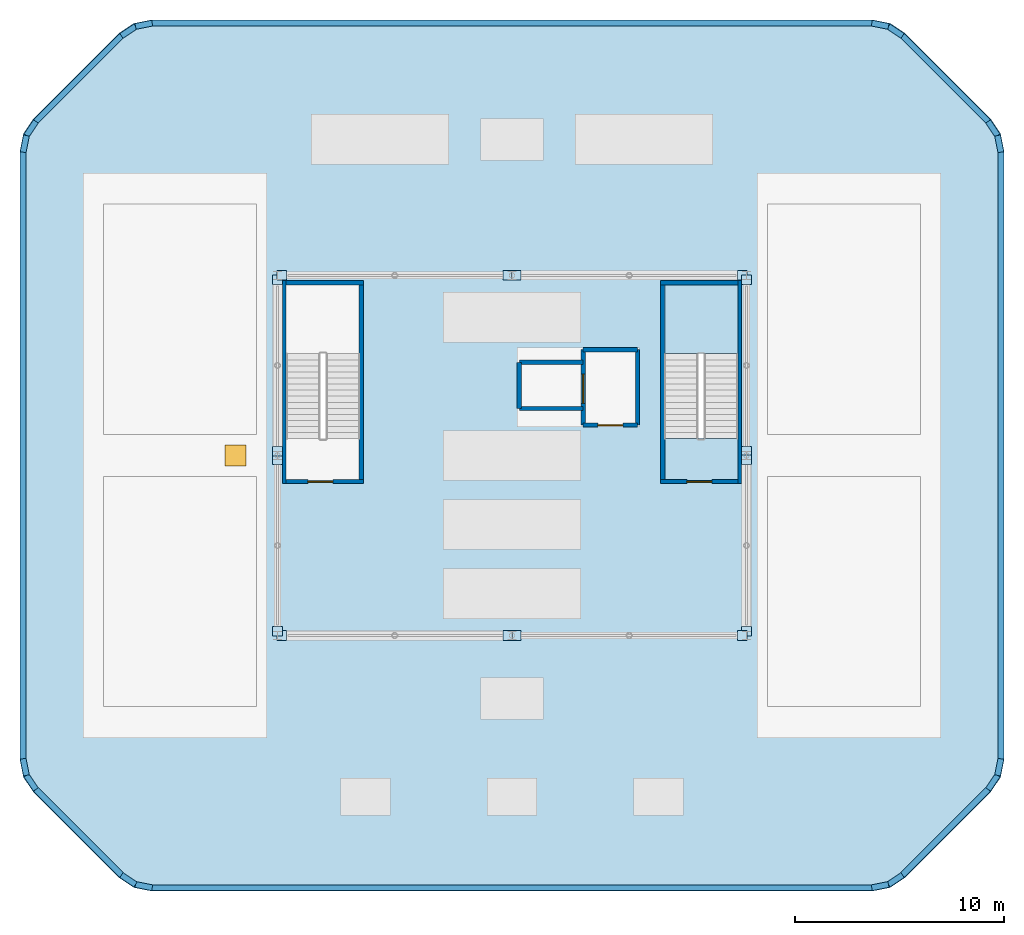
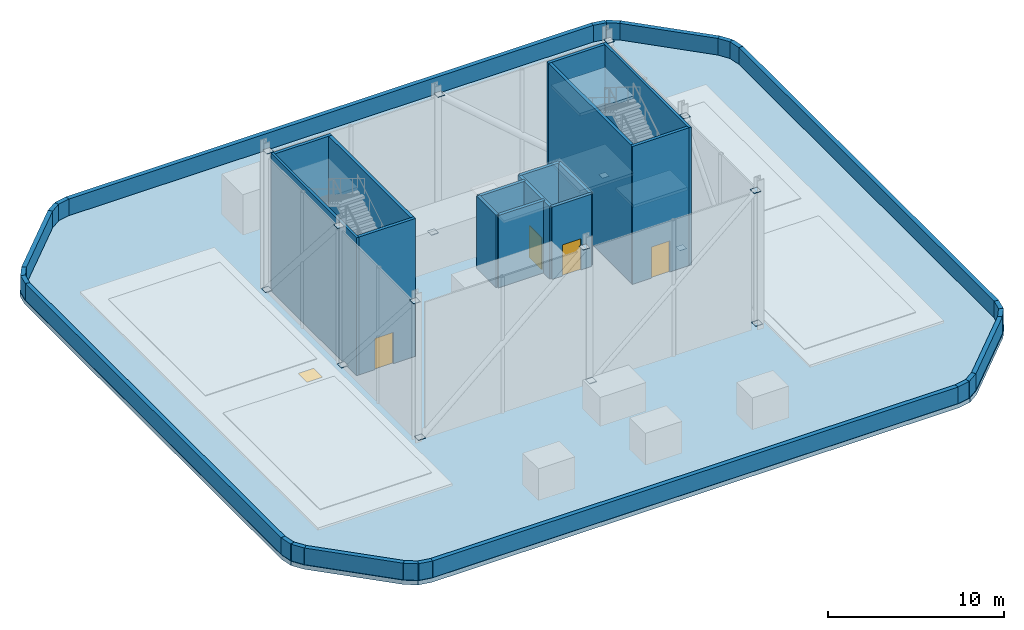
"""IFC4 building model written with IfcOpenShell, lengths in metres."""

import ifcopenshell
import ifcopenshell.guid

model = None  # the IFC model being written
_history = None  # IfcOwnerHistory: only IFC2X3 demands one
_inside = {}  # id of a spatial element -> (the spatial element, [elements in it])
_under = {}  # id of a project, library or spatial element -> (it, [spatial elements below it])
_declared = {}  # id of a project -> (the project, [libraries it declares])
_typed = {}  # id of a type object -> (the type object, [elements of that type])
_made_of = {}  # id of a material, layer set ... -> (it, [elements and type objects made of it])


def new_model(schema):
    """Start an empty IFC model of exactly this schema.

    Asked for "IFC4X3", IfcOpenShell would pick the latest addendum, in which some entities
    have other attributes; the version numbers below select the first issue.
    IFC2X3 requires an IfcOwnerHistory on every rooted entity: one is made here for all.
    """
    global model, _history
    if schema == "IFC4X3":
        model = ifcopenshell.file(schema_version=(4, 3, 0, 0))
    else:
        model = ifcopenshell.file(schema=schema)
    _inside.clear()
    _under.clear()
    _declared.clear()
    _typed.clear()
    _made_of.clear()
    _history = None
    if model.schema == "IFC2X3":
        org = make("IfcOrganization", Name="unknown")
        user = make(
            "IfcPersonAndOrganization",
            ThePerson=make("IfcPerson", FamilyName="unknown"),
            TheOrganization=org,
        )
        app = make(
            "IfcApplication",
            ApplicationDeveloper=org,
            Version="unknown",
            ApplicationFullName="unknown",
            ApplicationIdentifier="unknown",
        )
        _history = make(
            "IfcOwnerHistory",
            OwningUser=user,
            OwningApplication=app,
            ChangeAction="ADDED",
            CreationDate=0,
        )
    return model


def make(cls, **values):
    """One entity of the class cls with the attributes given. An attribute that is None is left unset."""
    return model.create_entity(
        cls, **{name: value for name, value in values.items() if value is not None}
    )


def rooted(cls, **values):
    """An entity with a GlobalId (a new one), such as an element, a storey or a relation."""
    return make(cls, GlobalId=ifcopenshell.guid.new(), OwnerHistory=_history, **values)


def si_unit(unit_type, name, prefix=None):
    """IfcSIUnit, for example si_unit("LENGTHUNIT", "METRE", prefix="MILLI")."""
    return make("IfcSIUnit", UnitType=unit_type, Prefix=prefix, Name=name)


def derived_unit(unit_type, elements):
    """IfcDerivedUnit: a product of units, each with its exponent."""
    return make(
        "IfcDerivedUnit",
        Elements=[
            make("IfcDerivedUnitElement", Unit=unit, Exponent=power)
            for unit, power in elements
        ],
        UnitType=unit_type,
    )


def assignment(units):
    """IfcUnitAssignment: the units of a project."""
    return None if units is None else make("IfcUnitAssignment", Units=units)


def point(xyz):
    """IfcCartesianPoint."""
    return None if xyz is None else make("IfcCartesianPoint", Coordinates=xyz)


def direction(xyz):
    """IfcDirection."""
    return None if xyz is None else make("IfcDirection", DirectionRatios=xyz)


def frame(location, z_axis=None, x_axis=None):
    """IfcAxis2Placement3D, a coordinate frame: its origin and axes. An axis left out is left unset."""
    return make(
        "IfcAxis2Placement3D",
        Location=point(location),
        Axis=direction(z_axis),
        RefDirection=direction(x_axis),
    )


def frame_2d(location, x_axis=None):
    """IfcAxis2Placement2D, a coordinate frame in the plane: its origin and x axis."""
    return make(
        "IfcAxis2Placement2D", Location=point(location), RefDirection=direction(x_axis)
    )


def origin():
    """The frame at (0, 0, 0) with its axes left unset."""
    return frame((0.0, 0.0, 0.0))


def origin_2d():
    """The frame at (0, 0) in the plane with its x axis left unset."""
    return frame_2d((0.0, 0.0))


def place(relative_to, where):
    """IfcLocalPlacement: puts the frame where relative to a parent placement (None: the world)."""
    return make(
        "IfcLocalPlacement", PlacementRelTo=relative_to, RelativePlacement=where
    )


def context(
    kind, dimensions, precision=None, world=None, true_north=None, identifier=None
):
    """IfcGeometricRepresentationContext, for example the 3D "Model" context."""
    return make(
        "IfcGeometricRepresentationContext",
        ContextIdentifier=identifier,
        ContextType=kind,
        CoordinateSpaceDimension=dimensions,
        Precision=precision,
        WorldCoordinateSystem=world,
        TrueNorth=true_north,
    )


def subcontext(parent, identifier, kind, view, scale=None):
    """IfcGeometricRepresentationSubContext, for example "Body" below "Model"."""
    return make(
        "IfcGeometricRepresentationSubContext",
        ContextIdentifier=identifier,
        ContextType=kind,
        ParentContext=parent,
        TargetScale=scale,
        TargetView=view,
    )


def project(units=None, contexts=None):
    """IfcProject with its units and contexts."""
    return rooted(
        "IfcProject",
        Name="project",
        RepresentationContexts=contexts,
        UnitsInContext=assignment(units),
    )


def spatial(cls, under=None, at=None, **own):
    """A site, building, storey or space (cls), placed at a placement, below another one or the project."""
    s = rooted(cls, ObjectPlacement=at, **own)
    if under is not None:
        _under.setdefault(under.id(), (under, []))[1].append(s)
    return s


def polyline(points):
    """IfcPolyline through the points."""
    return make("IfcPolyline", Points=[point(p) for p in points])


def profile(cls, at=None, kind="AREA", **sizes):
    """A parametric profile (cls). Its sizes go by their IFC names, for example OverallWidth=200.0."""
    return make(cls, ProfileType=kind, Position=at, **sizes)


def rectangle(**sizes):
    """IfcRectangleProfileDef."""
    return profile("IfcRectangleProfileDef", **sizes)


def outline(outer, holes=None, kind="AREA"):
    """IfcArbitraryClosedProfileDef: a profile drawn as a closed curve; with holes, ...WithVoids."""
    if holes is None:
        return make("IfcArbitraryClosedProfileDef", ProfileType=kind, OuterCurve=outer)
    return make(
        "IfcArbitraryProfileDefWithVoids",
        ProfileType=kind,
        OuterCurve=outer,
        InnerCurves=holes,
    )


def extrude(swept, where, along, depth):
    """IfcExtrudedAreaSolid: the profile swept, set in the frame where, extruded along a direction by depth."""
    return make(
        "IfcExtrudedAreaSolid",
        SweptArea=swept,
        Position=where,
        ExtrudedDirection=direction(along),
        Depth=depth,
    )


def shape(context_of_items, identifier, shape_type, items):
    """IfcShapeRepresentation: the items that make up one representation, for example the "Body"."""
    return make(
        "IfcShapeRepresentation",
        ContextOfItems=context_of_items,
        RepresentationIdentifier=identifier,
        RepresentationType=shape_type,
        Items=items,
    )


def material(Name=None, Category=None):
    """IfcMaterial."""
    return make("IfcMaterial", Name=Name, Category=Category)


def layer(
    of_material, thickness, ventilated=None, Name=None, Category=None, Priority=None
):
    """IfcMaterialLayer: one layer of a wall or slab, of a material (None: an air gap)."""
    return make(
        "IfcMaterialLayer",
        Material=of_material,
        LayerThickness=thickness,
        IsVentilated=ventilated,
        Name=Name,
        Category=Category,
        Priority=Priority,
    )


def layer_set(layers, Name=None):
    """IfcMaterialLayerSet."""
    return make("IfcMaterialLayerSet", MaterialLayers=layers, LayerSetName=Name)


def made_of(thing, what):
    """Note that an element or type object is made of a material, layer set ...; save() writes the relation."""
    if what is not None:
        _made_of.setdefault(what.id(), (what, []))[1].append(thing)
    return thing


def type_object(cls, material=None, **own):
    """A type object (cls), such as IfcWallType, which elements share."""
    return made_of(rooted(cls, **own), material)


def element(
    cls,
    number,
    at=None,
    inside=None,
    cuts=None,
    type_object=None,
    material=None,
    context=None,
    identifier="Body",
    shape_type=None,
    held_by="IfcProductDefinitionShape",
    body=None,
    shapes=None,
    **own,
):
    """One element of the class cls, such as IfcWall. Its Tag is "e" and its number.

    at: its placement. inside: the storey or other place that contains it. cuts: it is an
    opening in that element (IfcRelVoidsElement). A single representation is given by context,
    identifier, shape_type and body (its items); several are given by shapes. held_by: the class
    of the entity that holds the representations. save() writes the other relations.
    """
    e = rooted(cls, Tag="e%d" % number, ObjectPlacement=at, **own)
    if body is not None:
        shapes = [shape(context, identifier, shape_type, body)]
    if shapes is not None:
        e.Representation = make(held_by, Representations=shapes)
    if inside is not None:
        _inside.setdefault(inside.id(), (inside, []))[1].append(e)
    if cuts is not None:
        rooted(
            "IfcRelVoidsElement", RelatingBuildingElement=cuts, RelatedOpeningElement=e
        )
    if type_object is not None:
        _typed.setdefault(type_object.id(), (type_object, []))[1].append(e)
    return made_of(e, material)


def fill(opening, filler):
    """IfcRelFillsElement: the door or window that sits in an opening."""
    return rooted(
        "IfcRelFillsElement",
        RelatingOpeningElement=opening,
        RelatedBuildingElement=filler,
    )


def aggregate(whole, parts):
    """IfcRelAggregates: a whole, such as a stair, and the parts it consists of."""
    return rooted("IfcRelAggregates", RelatingObject=whole, RelatedObjects=parts)


def save(model, path):
    """Write the relations noted so far, then the file.

    IfcRelAggregates (storeys below a building ...), IfcRelContainedInSpatialStructure (elements
    in a storey), IfcRelDefinesByType, IfcRelAssociatesMaterial and IfcRelDeclares: one each for
    every whole, place, type object, material and project.
    """
    for whole, parts in _under.values():
        aggregate(whole, parts)
    for where, things in _inside.values():
        rooted(
            "IfcRelContainedInSpatialStructure",
            RelatedElements=things,
            RelatingStructure=where,
        )
    for kind, things in _typed.values():
        rooted("IfcRelDefinesByType", RelatedObjects=things, RelatingType=kind)
    for what, things in _made_of.values():
        rooted("IfcRelAssociatesMaterial", RelatedObjects=things, RelatingMaterial=what)
    for by, libraries in _declared.values():
        rooted("IfcRelDeclares", RelatingContext=by, RelatedDefinitions=libraries)
    model.write(path)


model = new_model("IFC4")

# Units and contexts
model_context = context("Model", 3, precision=1e-05, world=origin(), true_north=direction((0.0, 1.0)))
body_context = subcontext(model_context, "Body", "Model", "MODEL_VIEW")
ifc_project = project(units=[si_unit("LENGTHUNIT", "METRE"), si_unit("AREAUNIT", "SQUARE_METRE"), si_unit("VOLUMEUNIT", "CUBIC_METRE"), si_unit("PLANEANGLEUNIT", "RADIAN"), si_unit("MASSUNIT", "GRAM", prefix="KILO"), derived_unit("THERMALTRANSMITTANCEUNIT", [(si_unit("POWERUNIT", "WATT"), 1), (si_unit("LENGTHUNIT", "METRE"), -2), (si_unit("THERMODYNAMICTEMPERATUREUNIT", "KELVIN"), -1)])], contexts=[model_context])

# Site, building, storey
site_placement = place(None, origin())
site = spatial("IfcSite", under=ifc_project, at=site_placement, CompositionType="ELEMENT")
building_placement = place(site_placement, origin())
building = spatial("IfcBuilding", under=site, at=building_placement, Name="Koralith Skygarden Medical Center", CompositionType="ELEMENT")
storey_1_placement = place(building_placement, frame((0.0, 0.0, 298.97998046875)))
storey_1 = spatial("IfcBuildingStorey", under=building, at=storey_1_placement, Name="RF", CompositionType="ELEMENT", Elevation=298.97998046875)

# Stair, slabs
ifc_material_1 = material(Name="Concrete C45/55", Category="concrete")
stair_type = type_object("IfcStairType", Name="Core Exit Dogleg Concrete Stair", PredefinedType="HALF_TURN_STAIR", material=ifc_material_1)
stair_placement = place(storey_1_placement, origin())
stair = element("IfcStair", 1, at=stair_placement, inside=storey_1, type_object=stair_type, Name="RF Smokeproof Exit Stair ST2", PredefinedType="HALF_TURN_STAIR")
ifc_layer_1 = layer(ifc_material_1, 0.199951171875)
ifc_layer_set_1 = layer_set([ifc_layer_1], Name="Concrete C45/55")
slab_type_1 = type_object("IfcSlabType", Name="Core Exit Concrete Stair Landing 200", PredefinedType="LANDING", material=ifc_layer_set_1)
slab_1_placement = place(storey_1_placement, frame((0.0, 0.0, 2.467529296875)))
slab_1 = element("IfcSlab", 2, at=slab_1_placement, type_object=slab_type_1, Name="ST2 landing 1", PredefinedType="LANDING", context=body_context, shape_type="SweptSolid", body=[
    extrude(outline(polyline([(47.800048828125, 30.760009765625), (47.800048828125, 34.050048828125), (44.25, 34.050048828125), (44.25, 30.760009765625), (47.800048828125, 30.760009765625)])), origin(), (0.0, 0.0, 1.0), 0.199951171875),
])
slab_2_placement = place(storey_1_placement, frame((0.0, 0.0, 5.135009765625)))
slab_2 = element("IfcSlab", 3, at=slab_2_placement, type_object=slab_type_1, Name="ST2 landing 2", PredefinedType="LANDING", context=body_context, shape_type="SweptSolid", body=[
    extrude(outline(polyline([(47.800048828125, 24.699951171875), (47.800048828125, 26.699951171875), (44.25, 26.699951171875), (44.25, 24.699951171875), (47.800048828125, 24.699951171875)])), origin(), (0.0, 0.0, 1.0), 0.199951171875),
])
slab_3_placement = place(storey_1_placement, frame((0.0, 0.0, 7.802490234375)))
slab_3 = element("IfcSlab", 4, at=slab_3_placement, type_object=slab_type_1, Name="ST2 landing 3", PredefinedType="LANDING", context=body_context, shape_type="SweptSolid", body=[
    extrude(outline(polyline([(47.800048828125, 30.760009765625), (47.800048828125, 34.050048828125), (44.25, 34.050048828125), (44.25, 30.760009765625), (47.800048828125, 30.760009765625)])), origin(), (0.0, 0.0, 1.0), 0.199951171875),
])
aggregate(stair, [slab_1, slab_2, slab_3])

# Slab, opening
ifc_layer_2 = layer(ifc_material_1, 0.300048828125)
ifc_layer_set_2 = layer_set([ifc_layer_2], Name="Concrete C45/55")
slab_type_2 = type_object("IfcSlabType", Name="Crown Canopy Insulated Roof Slab 300", PredefinedType="ROOF", material=ifc_layer_set_2)
slab_4_placement = place(storey_1_placement, frame((0.0, 0.0, -0.300048828125)))
slab_4 = element("IfcSlab", 5, at=slab_4_placement, inside=storey_1, type_object=slab_type_2, Name="Crown Canopy Structural Roof Slab", PredefinedType="ROOF", context=body_context, shape_type="SweptSolid", body=[
    extrude(outline(polyline([(18.2451171875, 5.720947265625), (18.93310546875, 5.260986328125), (19.743896484375, 5.10009765625), (54.256103515625, 5.10009765625), (55.06689453125, 5.260986328125), (55.7548828125, 5.720947265625), (59.87890625, 9.844970703125), (60.339111328125, 10.532958984375), (60.5, 11.343994140625), (60.5, 40.4560546875), (60.339111328125, 41.26708984375), (59.87890625, 41.955078125), (55.7548828125, 46.0791015625), (55.06689453125, 46.5390625), (54.256103515625, 46.699951171875), (19.743896484375, 46.699951171875), (18.93310546875, 46.5390625), (18.2451171875, 46.0791015625), (14.12109375, 41.955078125), (13.660888671875, 41.26708984375), (13.5, 40.4560546875), (13.5, 11.343994140625), (13.660888671875, 10.532958984375), (14.12109375, 9.844970703125), (18.2451171875, 5.720947265625)]), holes=[polyline([(26.199951171875, 26.705078125), (29.75, 26.705078125), (29.75, 34.050048828125), (26.199951171875, 34.050048828125), (26.199951171875, 26.705078125)]), polyline([(44.25, 26.705078125), (47.800048828125, 26.705078125), (47.800048828125, 34.050048828125), (44.25, 34.050048828125), (44.25, 26.705078125)]), polyline([(37.449951171875, 28.25), (40.300048828125, 28.25), (40.300048828125, 30.25), (37.449951171875, 30.25), (37.449951171875, 28.25)])]), origin(), (0.0, 0.0, 1.0), 0.300048828125),
])
opening_1_placement = place(slab_4_placement, frame((23.800048828125, 25.89990234375, -0.010009765625)))
opening_1 = element("IfcOpeningElement", 6, at=opening_1_placement, cuts=slab_4, Name="Opening D-HAT", PredefinedType="OPENING", context=body_context, shape_type="SweptSolid", body=[
    extrude(rectangle(XDim=1.0, YDim=1.0, at=origin_2d()), origin(), (0.0, 0.0, 1.0), 0.320068359375),
])

# Storey
storey_2_placement = place(building_placement, frame((0.0, 0.0, 294.659912109375)))
storey_2 = spatial("IfcBuildingStorey", under=building, at=storey_2_placement, Name="L76", CompositionType="ELEMENT", Elevation=294.659912109375)

# Door
ifc_material_2 = material(Name="Steel ASTM A500 Grade C", Category="steel")
door_type_1 = type_object("IfcDoorType", Name="Roof & Shaft Maintenance Access Hatch H-RF 1000", OperationType="NOTDEFINED", PredefinedType="TRAPDOOR", material=ifc_material_2)
door_1_placement = place(opening_1_placement, frame((0.0, 0.0, 0.2900390625)))
door_1 = element("IfcDoor", 7, at=door_1_placement, inside=storey_2, type_object=door_type_1, Name="L76 Service Access Hatch H-01", OperationType="SINGLE_SWING_LEFT", OverallHeight=1.0, OverallWidth=1.0, PredefinedType="TRAPDOOR", context=body_context, shape_type="SweptSolid", body=[
    extrude(rectangle(XDim=1.0, YDim=1.0, at=origin_2d()), origin(), (0.0, 0.0, 1.0), 0.02001953125),
])

fill(opening_1, door_1)

# Plates
ifc_material_3 = material(Name="Steel ASTM A572 Grade 50", Category="steel")
ifc_layer_3 = layer(ifc_material_3, 0.02490234375)
ifc_layer_set_3 = layer_set([ifc_layer_3], Name="Steel ASTM A572 Grade 50")
plate_type = type_object("IfcPlateType", Name="Hollow Section End Cap Plate 25", PredefinedType="SHEET", material=ifc_layer_set_3)
for number, where, z_axis, x_axis, name in (
    (8, (26.010009765625, 17.300048828125, 0.137451171875), (0.0, 0.0, 1.0), (1.0, 0.0, 0.0), "Helipad Brace Cap A-01"),
    (9, (36.7900390625, 17.300048828125, 9.528564453125), (0.0, 0.0, 1.0), (1.0, 0.0, 0.0), "Helipad Brace Cap B-01"),
    (10, (37.2099609375, 17.300048828125, 0.137451171875), (0.0, 0.0, 1.0), (1.0, 0.0, 0.0), "Helipad Brace Cap A-02"),
    (11, (47.989990234375, 17.300048828125, 9.528564453125), (0.0, 0.0, 1.0), (1.0, 0.0, 0.0), "Helipad Brace Cap B-02"),
    (12, (48.199951171875, 17.510009765625, 0.137451171875), (0.0, 0.0, 1.0), (1.0, 0.0, 0.0), "Helipad Brace Cap A-03"),
    (13, (48.199951171875, 25.68994140625, 9.528564453125), (0.0, 0.0, 1.0), (1.0, 0.0, 0.0), "Helipad Brace Cap B-03"),
    (14, (48.199951171875, 26.110107421875, 0.137451171875), (0.0, 0.0, 1.0), (1.0, 0.0, 0.0), "Helipad Brace Cap A-04"),
    (15, (48.199951171875, 34.2900390625, 9.528564453125), (0.0, 0.0, 1.0), (1.0, 0.0, 0.0), "Helipad Brace Cap B-04"),
    (16, (47.989990234375, 34.5, 0.137451171875), (0.0, 0.0, 1.0), (1.0, 0.0, 0.0), "Helipad Brace Cap A-05"),
    (17, (37.2099609375, 34.5, 9.528564453125), (0.0, 0.0, 1.0), (1.0, 0.0, 0.0), "Helipad Brace Cap B-05"),
    (18, (36.7900390625, 34.5, 0.137451171875), (0.0, 0.0, 1.0), (1.0, 0.0, 0.0), "Helipad Brace Cap A-06"),
    (19, (26.010009765625, 34.5, 9.528564453125), (0.0, 0.0, 1.0), (1.0, 0.0, 0.0), "Helipad Brace Cap B-06"),
    (20, (25.800048828125, 34.2900390625, 0.137451171875), (0.0, 0.0, 1.0), (1.0, 0.0, 0.0), "Helipad Brace Cap A-07"),
    (21, (25.800048828125, 26.110107421875, 9.528564453125), (0.0, 0.0, 1.0), (1.0, 0.0, 0.0), "Helipad Brace Cap B-07"),
    (22, (25.800048828125, 25.68994140625, 0.137451171875), (0.0, 0.0, 1.0), (1.0, 0.0, 0.0), "Helipad Brace Cap A-08"),
    (23, (25.800048828125, 17.510009765625, 9.528564453125), (0.0, 0.0, 1.0), (1.0, 0.0, 0.0), "Helipad Brace Cap B-08"),
):
    element("IfcPlate", number, at=place(storey_1_placement, frame(where, z_axis=z_axis, x_axis=x_axis)), inside=storey_1, type_object=plate_type, Name=name, PredefinedType="SHEET", context=body_context, shape_type="SweptSolid", body=[
        extrude(rectangle(XDim=0.4599609375, YDim=0.4599609375, at=origin_2d()), origin(), (0.0, 0.0, 1.0), 0.02490234375),
    ])

# Walls
ifc_layer_4 = layer(ifc_material_1, 0.280029296875)
ifc_layer_set_4 = layer_set([ifc_layer_4], Name="Concrete C45/55")
wall_type_1 = type_object("IfcWallType", Name="Maintenance Roof Parapet Upstand 280", PredefinedType="PARAPET", material=ifc_layer_set_4)
for number, where, z_axis, x_axis, name in (
    (24, (18.345947265625, 5.85791015625, 0.0), (0.0, 0.0, 1.0), (0.831353771388, -0.555743562085, 0.0), "RF Canopy Perimeter Parapet 01"),
    (25, (19.01904296875, 5.407958984375, 0.0), (0.0, 0.0, 1.0), (0.9807773748, -0.19513006196, 0.0), "RF Canopy Perimeter Parapet 02"),
):
    element("IfcWall", number, at=place(storey_1_placement, frame(where, z_axis=z_axis, x_axis=x_axis)), inside=storey_1, type_object=wall_type_1, Name=name, PredefinedType="PARAPET", context=body_context, shape_type="SweptSolid", body=[
        extrude(rectangle(XDim=0.8095703125, YDim=0.280029296875, at=frame_2d((0.40478515625, 0.0))), origin(), (0.0, 0.0, 1.0), 1.14990234375),
    ])
wall_1_placement = place(storey_1_placement, frame((19.81298828125, 5.25, 0.0), z_axis=(0.0, 0.0, 1.0), x_axis=(1.0, 0.0, 0.0)))
element("IfcWall", 26, at=wall_1_placement, inside=storey_1, type_object=wall_type_1, Name="RF Canopy Perimeter Parapet 03", PredefinedType="PARAPET", context=body_context, shape_type="SweptSolid", body=[
    extrude(rectangle(XDim=34.3740234375, YDim=0.280029296875, at=frame_2d((17.18701171875, 0.0))), origin(), (0.0, 0.0, 1.0), 1.14990234375),
])
for number, where, z_axis, x_axis, name in (
    (27, (54.18701171875, 5.25, 0.0), (0.0, 0.0, 1.0), (0.9807773748, 0.19513006196, 0.0), "RF Canopy Perimeter Parapet 04"),
    (28, (54.98095703125, 5.407958984375, 0.0), (0.0, 0.0, 1.0), (0.831353771388, 0.555743562085, 0.0), "RF Canopy Perimeter Parapet 05"),
):
    element("IfcWall", number, at=place(storey_1_placement, frame(where, z_axis=z_axis, x_axis=x_axis)), inside=storey_1, type_object=wall_type_1, Name=name, PredefinedType="PARAPET", context=body_context, shape_type="SweptSolid", body=[
        extrude(rectangle(XDim=0.8095703125, YDim=0.280029296875, at=frame_2d((0.40478515625, 0.0))), origin(), (0.0, 0.0, 1.0), 1.14990234375),
    ])
wall_2_placement = place(storey_1_placement, frame((55.654052734375, 5.85791015625, 0.0), z_axis=(0.0, 0.0, 1.0), x_axis=(0.707085666273, 0.70712789547, 0.0)))
element("IfcWall", 29, at=wall_2_placement, inside=storey_1, type_object=wall_type_1, Name="RF Canopy Perimeter Parapet 06", PredefinedType="PARAPET", context=body_context, shape_type="SweptSolid", body=[
    extrude(rectangle(XDim=5.78125, YDim=0.280029296875, at=frame_2d((2.890625, 0.0))), origin(), (0.0, 0.0, 1.0), 1.14990234375),
])
wall_3_placement = place(storey_1_placement, frame((59.741943359375, 9.946044921875, 0.0), z_axis=(0.0, 0.0, 1.0), x_axis=(0.555882907911, 0.831260604559, 0.0)))
element("IfcWall", 30, at=wall_3_placement, inside=storey_1, type_object=wall_type_1, Name="RF Canopy Perimeter Parapet 07", PredefinedType="PARAPET", context=body_context, shape_type="SweptSolid", body=[
    extrude(rectangle(XDim=0.809326171875, YDim=0.280029296875, at=frame_2d((0.40478515625, 0.0))), origin(), (0.0, 0.0, 1.0), 1.14990234375),
])
wall_4_placement = place(storey_1_placement, frame((60.19189453125, 10.618896484375, 0.0), z_axis=(0.0, 0.0, 1.0), x_axis=(0.195362364379, 0.980731128589, 0.0)))
element("IfcWall", 31, at=wall_4_placement, inside=storey_1, type_object=wall_type_1, Name="RF Canopy Perimeter Parapet 08", PredefinedType="PARAPET", context=body_context, shape_type="SweptSolid", body=[
    extrude(rectangle(XDim=0.809814453125, YDim=0.280029296875, at=frame_2d((0.40478515625, 0.0))), origin(), (0.0, 0.0, 1.0), 1.14990234375),
])
wall_5_placement = place(storey_1_placement, frame((60.35009765625, 11.4130859375, 0.0), z_axis=(0.0, 0.0, 1.0), x_axis=(0.0, 1.0, 0.0)))
element("IfcWall", 32, at=wall_5_placement, inside=storey_1, type_object=wall_type_1, Name="RF Canopy Perimeter Parapet 09", PredefinedType="PARAPET", context=body_context, shape_type="SweptSolid", body=[
    extrude(rectangle(XDim=28.973876953125, YDim=0.280029296875, at=frame_2d((14.48681640625, 0.0))), origin(), (0.0, 0.0, 1.0), 1.14990234375),
])
for number, where, z_axis, x_axis, name in (
    (33, (60.35009765625, 40.386962890625, 0.0), (0.0, 0.0, 1.0), (-0.195420145058, 0.980719616866, 0.0), "RF Canopy Perimeter Parapet 10"),
    (34, (60.19189453125, 41.180908203125, 0.0), (0.0, 0.0, 1.0), (-0.555743562085, 0.831353771388, 0.0), "RF Canopy Perimeter Parapet 11"),
):
    element("IfcWall", number, at=place(storey_1_placement, frame(where, z_axis=z_axis, x_axis=x_axis)), inside=storey_1, type_object=wall_type_1, Name=name, PredefinedType="PARAPET", context=body_context, shape_type="SweptSolid", body=[
        extrude(rectangle(XDim=0.8095703125, YDim=0.280029296875, at=frame_2d((0.40478515625, 0.0))), origin(), (0.0, 0.0, 1.0), 1.14990234375),
    ])
wall_6_placement = place(storey_1_placement, frame((59.741943359375, 41.85400390625, 0.0), z_axis=(0.0, 0.0, 1.0), x_axis=(-0.707106781187, 0.707106781187, 0.0)))
element("IfcWall", 35, at=wall_6_placement, inside=storey_1, type_object=wall_type_1, Name="RF Canopy Perimeter Parapet 12", PredefinedType="PARAPET", context=body_context, shape_type="SweptSolid", body=[
    extrude(rectangle(XDim=5.78125, YDim=0.280029296875, at=frame_2d((2.890625, 0.0))), origin(), (0.0, 0.0, 1.0), 1.14990234375),
])
wall_7_placement = place(storey_1_placement, frame((55.654052734375, 45.94189453125, 0.0), z_axis=(0.0, 0.0, 1.0), x_axis=(-0.83121444992, 0.555951920803, 0.0)))
element("IfcWall", 36, at=wall_7_placement, inside=storey_1, type_object=wall_type_1, Name="RF Canopy Perimeter Parapet 13", PredefinedType="PARAPET", context=body_context, shape_type="SweptSolid", body=[
    extrude(rectangle(XDim=0.809814453125, YDim=0.280029296875, at=frame_2d((0.40478515625, 0.0))), origin(), (0.0, 0.0, 1.0), 1.14990234375),
])
wall_8_placement = place(storey_1_placement, frame((54.98095703125, 46.39208984375, 0.0), z_axis=(0.0, 0.0, 1.0), x_axis=(-0.9807773748, 0.19513006196, 0.0)))
element("IfcWall", 37, at=wall_8_placement, inside=storey_1, type_object=wall_type_1, Name="RF Canopy Perimeter Parapet 14", PredefinedType="PARAPET", context=body_context, shape_type="SweptSolid", body=[
    extrude(rectangle(XDim=0.8095703125, YDim=0.280029296875, at=frame_2d((0.40478515625, 0.0))), origin(), (0.0, 0.0, 1.0), 1.14990234375),
])
wall_9_placement = place(storey_1_placement, frame((54.18701171875, 46.550048828125, 0.0), z_axis=(0.0, 0.0, 1.0), x_axis=(-1.0, 0.0, 0.0)))
element("IfcWall", 38, at=wall_9_placement, inside=storey_1, type_object=wall_type_1, Name="RF Canopy Perimeter Parapet 15", PredefinedType="PARAPET", context=body_context, shape_type="SweptSolid", body=[
    extrude(rectangle(XDim=34.3740234375, YDim=0.280029296875, at=frame_2d((17.18701171875, 0.0))), origin(), (0.0, 0.0, 1.0), 1.14990234375),
])
wall_10_placement = place(storey_1_placement, frame((19.81298828125, 46.550048828125, 0.0), z_axis=(0.0, 0.0, 1.0), x_axis=(-0.9807773748, -0.19513006196, 0.0)))
element("IfcWall", 39, at=wall_10_placement, inside=storey_1, type_object=wall_type_1, Name="RF Canopy Perimeter Parapet 16", PredefinedType="PARAPET", context=body_context, shape_type="SweptSolid", body=[
    extrude(rectangle(XDim=0.8095703125, YDim=0.280029296875, at=frame_2d((0.40478515625, 0.0))), origin(), (0.0, 0.0, 1.0), 1.14990234375),
])
wall_11_placement = place(storey_1_placement, frame((19.01904296875, 46.39208984375, 0.0), z_axis=(0.0, 0.0, 1.0), x_axis=(-0.83121444992, -0.555951920803, 0.0)))
element("IfcWall", 40, at=wall_11_placement, inside=storey_1, type_object=wall_type_1, Name="RF Canopy Perimeter Parapet 17", PredefinedType="PARAPET", context=body_context, shape_type="SweptSolid", body=[
    extrude(rectangle(XDim=0.809814453125, YDim=0.280029296875, at=frame_2d((0.40478515625, 0.0))), origin(), (0.0, 0.0, 1.0), 1.14990234375),
])
wall_12_placement = place(storey_1_placement, frame((18.345947265625, 45.94189453125, 0.0), z_axis=(0.0, 0.0, 1.0), x_axis=(-0.707106781187, -0.707106781187, 0.0)))
element("IfcWall", 41, at=wall_12_placement, inside=storey_1, type_object=wall_type_1, Name="RF Canopy Perimeter Parapet 18", PredefinedType="PARAPET", context=body_context, shape_type="SweptSolid", body=[
    extrude(rectangle(XDim=5.78125, YDim=0.280029296875, at=frame_2d((2.890625, 0.0))), origin(), (0.0, 0.0, 1.0), 1.14990234375),
])
for number, where, z_axis, x_axis, name in (
    (42, (14.258056640625, 41.85400390625, 0.0), (0.0, 0.0, 1.0), (-0.555743562085, -0.831353771388, 0.0), "RF Canopy Perimeter Parapet 19"),
    (43, (13.80810546875, 41.180908203125, 0.0), (0.0, 0.0, 1.0), (-0.195420145058, -0.980719616866, 0.0), "RF Canopy Perimeter Parapet 20"),
):
    element("IfcWall", number, at=place(storey_1_placement, frame(where, z_axis=z_axis, x_axis=x_axis)), inside=storey_1, type_object=wall_type_1, Name=name, PredefinedType="PARAPET", context=body_context, shape_type="SweptSolid", body=[
        extrude(rectangle(XDim=0.8095703125, YDim=0.280029296875, at=frame_2d((0.40478515625, 0.0))), origin(), (0.0, 0.0, 1.0), 1.14990234375),
    ])
wall_13_placement = place(storey_1_placement, frame((13.64990234375, 40.386962890625, 0.0), z_axis=(0.0, 0.0, 1.0), x_axis=(0.0, -1.0, 0.0)))
element("IfcWall", 44, at=wall_13_placement, inside=storey_1, type_object=wall_type_1, Name="RF Canopy Perimeter Parapet 21", PredefinedType="PARAPET", context=body_context, shape_type="SweptSolid", body=[
    extrude(rectangle(XDim=28.973876953125, YDim=0.280029296875, at=frame_2d((14.48681640625, 0.0))), origin(), (0.0, 0.0, 1.0), 1.14990234375),
])
wall_14_placement = place(storey_1_placement, frame((13.64990234375, 11.4130859375, 0.0), z_axis=(0.0, 0.0, 1.0), x_axis=(0.195362364379, -0.980731128589, 0.0)))
element("IfcWall", 45, at=wall_14_placement, inside=storey_1, type_object=wall_type_1, Name="RF Canopy Perimeter Parapet 22", PredefinedType="PARAPET", context=body_context, shape_type="SweptSolid", body=[
    extrude(rectangle(XDim=0.809814453125, YDim=0.280029296875, at=frame_2d((0.40478515625, 0.0))), origin(), (0.0, 0.0, 1.0), 1.14990234375),
])
wall_15_placement = place(storey_1_placement, frame((13.80810546875, 10.618896484375, 0.0), z_axis=(0.0, 0.0, 1.0), x_axis=(0.555882907911, -0.831260604559, 0.0)))
element("IfcWall", 46, at=wall_15_placement, inside=storey_1, type_object=wall_type_1, Name="RF Canopy Perimeter Parapet 23", PredefinedType="PARAPET", context=body_context, shape_type="SweptSolid", body=[
    extrude(rectangle(XDim=0.809326171875, YDim=0.280029296875, at=frame_2d((0.40478515625, 0.0))), origin(), (0.0, 0.0, 1.0), 1.14990234375),
])
wall_16_placement = place(storey_1_placement, frame((14.258056640625, 9.946044921875, 0.0), z_axis=(0.0, 0.0, 1.0), x_axis=(0.707085666273, -0.70712789547, 0.0)))
element("IfcWall", 47, at=wall_16_placement, inside=storey_1, type_object=wall_type_1, Name="RF Canopy Perimeter Parapet 24", PredefinedType="PARAPET", context=body_context, shape_type="SweptSolid", body=[
    extrude(rectangle(XDim=5.78125, YDim=0.280029296875, at=frame_2d((2.890625, 0.0))), origin(), (0.0, 0.0, 1.0), 1.14990234375),
])
ifc_layer_5 = layer(ifc_material_1, 0.199951171875)
ifc_layer_set_5 = layer_set([ifc_layer_5], Name="Concrete C45/55")
wall_type_2 = type_object("IfcWallType", Name="Structural Lift Shaft Wall 200", PredefinedType="SHEAR", material=ifc_layer_set_5)
wall_17_placement = place(storey_1_placement, frame((37.35009765625, 28.14990234375, 0.0), z_axis=(0.0, 0.0, 1.0), x_axis=(0.0, 1.0, 0.0)))
element("IfcWall", 48, at=wall_17_placement, inside=storey_1, type_object=wall_type_2, Name="RF Structural Lift Shaft Wall 200 W-TR1-RF-W", PredefinedType="SHEAR", context=body_context, shape_type="SweptSolid", body=[
    extrude(rectangle(XDim=2.2001953125, YDim=0.199951171875, at=frame_2d((1.10009765625, 0.0))), origin(), (0.0, 0.0, 1.0), 5.0),
])
for number, where, z_axis, x_axis, name in (
    (49, (37.35009765625, 28.14990234375, 0.0), (0.0, 0.0, 1.0), (1.0, 0.0, 0.0), "RF Structural Lift Shaft Wall 200 W-TR1-RF-S"),
    (50, (37.35009765625, 30.35009765625, 0.0), (0.0, 0.0, 1.0), (1.0, 0.0, 0.0), "RF Structural Lift Shaft Wall 200 W-TR1-RF-N"),
):
    element("IfcWall", number, at=place(storey_1_placement, frame(where, z_axis=z_axis, x_axis=x_axis)), inside=storey_1, type_object=wall_type_2, Name=name, PredefinedType="SHEAR", context=body_context, shape_type="SweptSolid", body=[
        extrude(rectangle(XDim=3.0498046875, YDim=0.199951171875, at=frame_2d((1.52490234375, 0.0))), origin(), (0.0, 0.0, 1.0), 5.0),
    ])

# Wall, opening, door
wall_18_placement = place(storey_1_placement, frame((40.39990234375, 27.35009765625, 0.0), z_axis=(0.0, 0.0, 1.0), x_axis=(0.0, 1.0, 0.0)))
wall_18 = element("IfcWall", 51, at=wall_18_placement, inside=storey_1, type_object=wall_type_2, Name="RF Structural Lift Shaft Wall 200 W-TR1-RF-E", PredefinedType="SHEAR", context=body_context, shape_type="SweptSolid", body=[
    extrude(rectangle(XDim=3.599853515625, YDim=0.199951171875, at=frame_2d((1.7998046875, 0.0))), origin(), (0.0, 0.0, 1.0), 5.0),
])
opening_2_placement = place(wall_18_placement, frame((1.0400390625, 0.0, 0.0)))
opening_2 = element("IfcOpeningElement", 52, at=opening_2_placement, cuts=wall_18, Name="Opening LD-SV", PredefinedType="OPENING", context=body_context, shape_type="SweptSolid", body=[
    extrude(rectangle(XDim=1.39990234375, YDim=2.199951171875, at=frame_2d((0.699951171875, 1.10009765625))), frame((0.0, 0.10986328125, 0.0), z_axis=(0.0, -1.0, 0.0), x_axis=(1.0, 0.0, 0.0)), (0.0, 0.0, 1.0), 0.219970703125),
])
door_type_2 = type_object("IfcDoorType", Name="Bed Lift Sliding Landing Door LD-SV 1400", OperationType="NOTDEFINED", PredefinedType="DOOR", material=ifc_material_2)
door_2_placement = place(opening_2_placement, origin())
door_2 = element("IfcDoor", 53, at=door_2_placement, inside=storey_1, type_object=door_type_2, Name="RF Trauma Elevator TR1 Landing Door", OperationType="SLIDING_TO_RIGHT", OverallHeight=2.199951171875, OverallWidth=1.39990234375, PredefinedType="DOOR", context=body_context, shape_type="SweptSolid", body=[
    extrude(rectangle(XDim=1.39990234375, YDim=2.199951171875, at=frame_2d((0.699951171875, 1.10009765625))), frame((0.0, 0.02490234375, 0.0), z_axis=(0.0, -1.0, 0.0), x_axis=(1.0, 0.0, 0.0)), (0.0, 0.0, 1.0), 0.050048828125),
])
fill(opening_2, door_2)

wall_19_placement = place(storey_1_placement, frame((40.39990234375, 27.35009765625, 0.0), z_axis=(0.0, 0.0, 1.0), x_axis=(1.0, 0.0, 0.0)))
wall_19 = element("IfcWall", 54, at=wall_19_placement, inside=storey_1, type_object=wall_type_2, Name="RF Structural Lift Shaft Wall 200 W-TR1-RF-LS", PredefinedType="SHEAR", context=body_context, shape_type="SweptSolid", body=[
    extrude(rectangle(XDim=2.60009765625, YDim=0.199951171875, at=frame_2d((1.300048828125, 0.0))), origin(), (0.0, 0.0, 1.0), 5.0),
])
opening_3_placement = place(wall_19_placement, frame((0.699951171875, 0.0, 0.0)))
opening_3 = element("IfcOpeningElement", 55, at=opening_3_placement, cuts=wall_19, Name="Opening D-ST60", PredefinedType="OPENING", context=body_context, shape_type="SweptSolid", body=[
    extrude(rectangle(XDim=1.199951171875, YDim=2.14990234375, at=frame_2d((0.60009765625, 1.074951171875))), frame((0.0, 0.10986328125, 0.0), z_axis=(0.0, -1.0, 0.0), x_axis=(1.0, 0.0, 0.0)), (0.0, 0.0, 1.0), 0.219970703125),
])
door_type_3 = type_object("IfcDoorType", Name="Smokeproof Stair Fire Door FD60S 1200", OperationType="NOTDEFINED", PredefinedType="DOOR", material=ifc_material_2)
door_3_placement = place(opening_3_placement, frame((1.199951171875, 0.0, 0.0), z_axis=(0.0, 0.0, 1.0), x_axis=(-1.0, 0.0, 0.0)))
door_3 = element("IfcDoor", 56, at=door_3_placement, inside=storey_1, type_object=door_type_3, Name="RF Trauma Lift Lobby Door to the Crown Roof", OperationType="SINGLE_SWING_LEFT", OverallHeight=2.14990234375, OverallWidth=1.199951171875, PredefinedType="DOOR", context=body_context, shape_type="SweptSolid", body=[
    extrude(rectangle(XDim=1.199951171875, YDim=2.14990234375, at=frame_2d((0.60009765625, 1.074951171875))), frame((0.0, 0.02490234375, 0.0), z_axis=(0.0, -1.0, 0.0), x_axis=(1.0, 0.0, 0.0)), (0.0, 0.0, 1.0), 0.050048828125),
])
fill(opening_3, door_3)

# Walls
wall_20_placement = place(storey_1_placement, frame((40.39990234375, 30.949951171875, 0.0), z_axis=(0.0, 0.0, 1.0), x_axis=(1.0, 0.0, 0.0)))
element("IfcWall", 57, at=wall_20_placement, inside=storey_1, type_object=wall_type_2, Name="RF Structural Lift Shaft Wall 200 W-TR1-RF-LN", PredefinedType="SHEAR", context=body_context, shape_type="SweptSolid", body=[
    extrude(rectangle(XDim=2.60009765625, YDim=0.199951171875, at=frame_2d((1.300048828125, 0.0))), origin(), (0.0, 0.0, 1.0), 5.0),
])
wall_21_placement = place(storey_1_placement, frame((43.0, 27.35009765625, 0.0), z_axis=(0.0, 0.0, 1.0), x_axis=(0.0, 1.0, 0.0)))
element("IfcWall", 58, at=wall_21_placement, inside=storey_1, type_object=wall_type_2, Name="RF Structural Lift Shaft Wall 200 W-TR1-RF-LE", PredefinedType="SHEAR", context=body_context, shape_type="SweptSolid", body=[
    extrude(rectangle(XDim=3.599853515625, YDim=0.199951171875, at=frame_2d((1.7998046875, 0.0))), origin(), (0.0, 0.0, 1.0), 5.0),
])
ifc_layer_6 = layer(ifc_material_1, 0.159912109375)
ifc_layer_set_6 = layer_set([ifc_layer_6], Name="Concrete C45/55")
wall_type_3 = type_object("IfcWallType", Name="Structural Stair Shaft Wall 160", PredefinedType="SHEAR", material=ifc_layer_set_6)
for number, where, z_axis, x_axis, name in (
    (59, (26.1201171875, 24.550048828125, 0.0), (0.0, 0.0, 1.0), (0.0, 1.0, 0.0), "RF Structural Stair Shaft Wall 160 W-CORE-RF-ST1-W"),
    (60, (47.8798828125, 24.550048828125, 0.0), (0.0, 0.0, 1.0), (0.0, 1.0, 0.0), "RF Structural Stair Shaft Wall 160 W-CORE-RF-ST2-E"),
):
    element("IfcWall", number, at=place(storey_1_placement, frame(where, z_axis=z_axis, x_axis=x_axis)), inside=storey_1, type_object=wall_type_3, Name=name, PredefinedType="SHEAR", context=body_context, shape_type="SweptSolid", body=[
        extrude(rectangle(XDim=9.699951171875, YDim=0.159912109375, at=frame_2d((4.85009765625, 0.0))), origin(), (0.0, 0.0, 1.0), 9.541015625),
    ])
ifc_layer_7 = layer(ifc_material_1, 0.199951171875)
ifc_layer_set_7 = layer_set([ifc_layer_7], Name="Concrete C45/55")
wall_type_4 = type_object("IfcWallType", Name="Structural Stair Shaft Wall 200", PredefinedType="SHEAR", material=ifc_layer_set_7)
wall_22_placement = place(storey_1_placement, frame((29.800048828125, 24.64990234375, 0.0), z_axis=(0.0, 0.0, 1.0), x_axis=(0.0, 1.0, 0.0)))
element("IfcWall", 61, at=wall_22_placement, inside=storey_1, type_object=wall_type_4, Name="RF Structural Stair Shaft Wall 200 W-CORE-RF-ST1-E", PredefinedType="SHEAR", context=body_context, shape_type="SweptSolid", body=[
    extrude(rectangle(XDim=9.400146484375, YDim=0.199951171875, at=frame_2d((4.7001953125, 0.0))), origin(), (0.0, 0.0, 1.0), 9.541015625),
])

# Wall, opening, door
wall_23_placement = place(storey_1_placement, frame((26.199951171875, 24.64990234375, 0.0), z_axis=(0.0, 0.0, 1.0), x_axis=(1.0, 0.0, 0.0)))
wall_23 = element("IfcWall", 62, at=wall_23_placement, inside=storey_1, type_object=wall_type_4, Name="RF Structural Stair Shaft Wall 200 W-CORE-RF-ST1-S", PredefinedType="SHEAR", context=body_context, shape_type="SweptSolid", body=[
    extrude(rectangle(XDim=3.699951171875, YDim=0.199951171875, at=frame_2d((1.85009765625, 0.0))), origin(), (0.0, 0.0, 1.0), 9.541015625),
])
opening_4_placement = place(wall_23_placement, frame((1.050048828125, 0.0, 0.0)))
opening_4 = element("IfcOpeningElement", 63, at=opening_4_placement, cuts=wall_23, Name="Opening D-ST60", PredefinedType="OPENING", context=body_context, shape_type="SweptSolid", body=[
    extrude(rectangle(XDim=1.199951171875, YDim=2.14990234375, at=frame_2d((0.60009765625, 1.074951171875))), frame((0.0, 0.10986328125, 0.0), z_axis=(0.0, -1.0, 0.0), x_axis=(1.0, 0.0, 0.0)), (0.0, 0.0, 1.0), 0.219970703125),
])
door_4_placement = place(opening_4_placement, frame((1.199951171875, 0.0, 0.0), z_axis=(0.0, 0.0, 1.0), x_axis=(-1.0, 0.0, 0.0)))
door_4 = element("IfcDoor", 64, at=door_4_placement, inside=storey_1, type_object=door_type_3, Name="RF Exit Stair ST1 Fire Door", OperationType="SINGLE_SWING_LEFT", OverallHeight=2.14990234375, OverallWidth=1.199951171875, PredefinedType="DOOR", context=body_context, shape_type="SweptSolid", body=[
    extrude(rectangle(XDim=1.199951171875, YDim=2.14990234375, at=frame_2d((0.60009765625, 1.074951171875))), frame((0.0, 0.02490234375, 0.0), z_axis=(0.0, -1.0, 0.0), x_axis=(1.0, 0.0, 0.0)), (0.0, 0.0, 1.0), 0.050048828125),
])
fill(opening_4, door_4)

# Walls
wall_24_placement = place(storey_1_placement, frame((26.199951171875, 34.14990234375, 0.0), z_axis=(0.0, 0.0, 1.0), x_axis=(1.0, 0.0, 0.0)))
element("IfcWall", 65, at=wall_24_placement, inside=storey_1, type_object=wall_type_4, Name="RF Structural Stair Shaft Wall 200 W-CORE-RF-ST1-N", PredefinedType="SHEAR", context=body_context, shape_type="SweptSolid", body=[
    extrude(rectangle(XDim=3.699951171875, YDim=0.199951171875, at=frame_2d((1.85009765625, 0.0))), origin(), (0.0, 0.0, 1.0), 9.541015625),
])
wall_25_placement = place(storey_1_placement, frame((44.199951171875, 24.64990234375, 0.0), z_axis=(0.0, 0.0, 1.0), x_axis=(0.0, 1.0, 0.0)))
element("IfcWall", 66, at=wall_25_placement, inside=storey_1, type_object=wall_type_4, Name="RF Structural Stair Shaft Wall 200 W-CORE-RF-ST2-W", PredefinedType="SHEAR", context=body_context, shape_type="SweptSolid", body=[
    extrude(rectangle(XDim=9.400146484375, YDim=0.199951171875, at=frame_2d((4.7001953125, 0.0))), origin(), (0.0, 0.0, 1.0), 9.541015625),
])

# Wall, opening, door
wall_26_placement = place(storey_1_placement, frame((44.10009765625, 24.64990234375, 0.0), z_axis=(0.0, 0.0, 1.0), x_axis=(1.0, 0.0, 0.0)))
wall_26 = element("IfcWall", 67, at=wall_26_placement, inside=storey_1, type_object=wall_type_4, Name="RF Structural Stair Shaft Wall 200 W-CORE-RF-ST2-S", PredefinedType="SHEAR", context=body_context, shape_type="SweptSolid", body=[
    extrude(rectangle(XDim=3.699951171875, YDim=0.199951171875, at=frame_2d((1.85009765625, 0.0))), origin(), (0.0, 0.0, 1.0), 9.541015625),
])
opening_5_placement = place(wall_26_placement, frame((1.25, 0.0, 0.0)))
opening_5 = element("IfcOpeningElement", 68, at=opening_5_placement, cuts=wall_26, Name="Opening D-ST60", PredefinedType="OPENING", context=body_context, shape_type="SweptSolid", body=[
    extrude(rectangle(XDim=1.199951171875, YDim=2.14990234375, at=frame_2d((0.60009765625, 1.074951171875))), frame((0.0, 0.10986328125, 0.0), z_axis=(0.0, -1.0, 0.0), x_axis=(1.0, 0.0, 0.0)), (0.0, 0.0, 1.0), 0.219970703125),
])
door_5_placement = place(opening_5_placement, frame((1.199951171875, 0.0, 0.0), z_axis=(0.0, 0.0, 1.0), x_axis=(-1.0, 0.0, 0.0)))
door_5 = element("IfcDoor", 69, at=door_5_placement, inside=storey_1, type_object=door_type_3, Name="RF Exit Stair ST2 Fire Door", OperationType="SINGLE_SWING_RIGHT", OverallHeight=2.14990234375, OverallWidth=1.199951171875, PredefinedType="DOOR", context=body_context, shape_type="SweptSolid", body=[
    extrude(rectangle(XDim=1.199951171875, YDim=2.14990234375, at=frame_2d((0.60009765625, 1.074951171875))), frame((0.0, 0.02490234375, 0.0), z_axis=(0.0, -1.0, 0.0), x_axis=(1.0, 0.0, 0.0)), (0.0, 0.0, 1.0), 0.050048828125),
])
fill(opening_5, door_5)

# Wall
wall_27_placement = place(storey_1_placement, frame((44.10009765625, 34.14990234375, 0.0), z_axis=(0.0, 0.0, 1.0), x_axis=(1.0, 0.0, 0.0)))
element("IfcWall", 70, at=wall_27_placement, inside=storey_1, type_object=wall_type_4, Name="RF Structural Stair Shaft Wall 200 W-CORE-RF-ST2-N", PredefinedType="SHEAR", context=body_context, shape_type="SweptSolid", body=[
    extrude(rectangle(XDim=3.699951171875, YDim=0.199951171875, at=frame_2d((1.85009765625, 0.0))), origin(), (0.0, 0.0, 1.0), 9.541015625),
])

save(model, "model.ifc")
